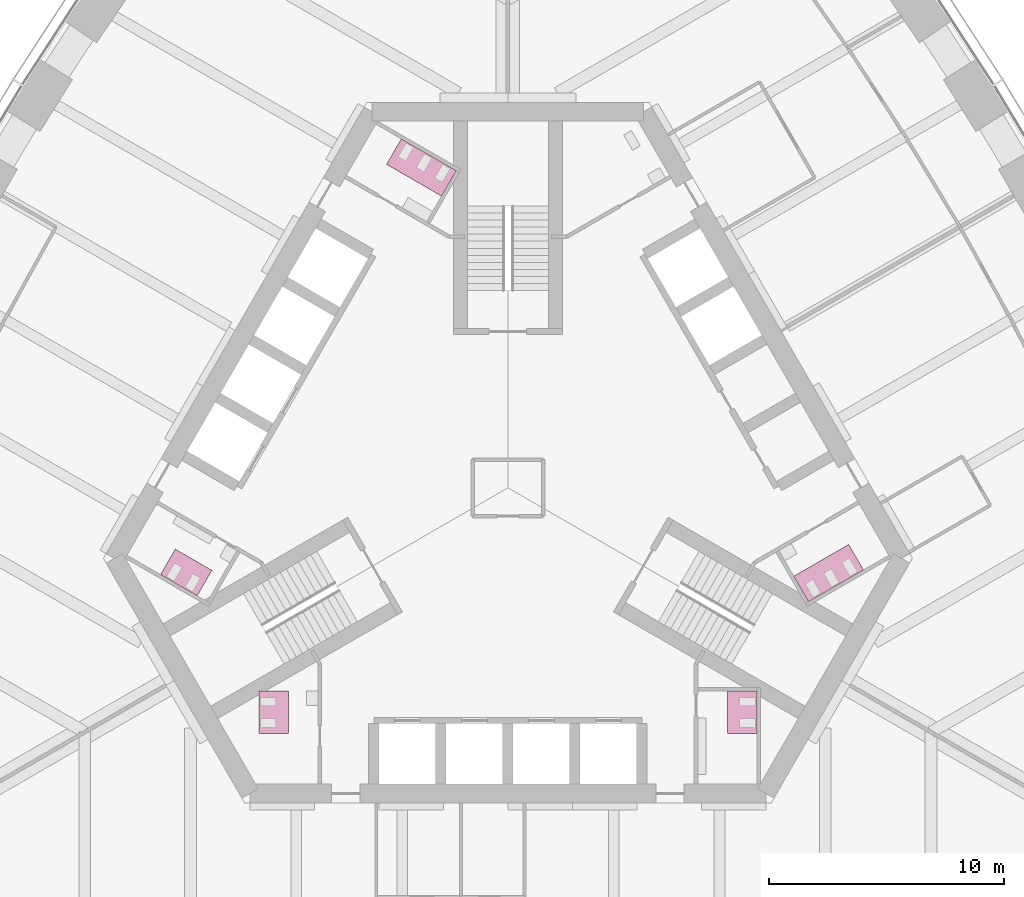
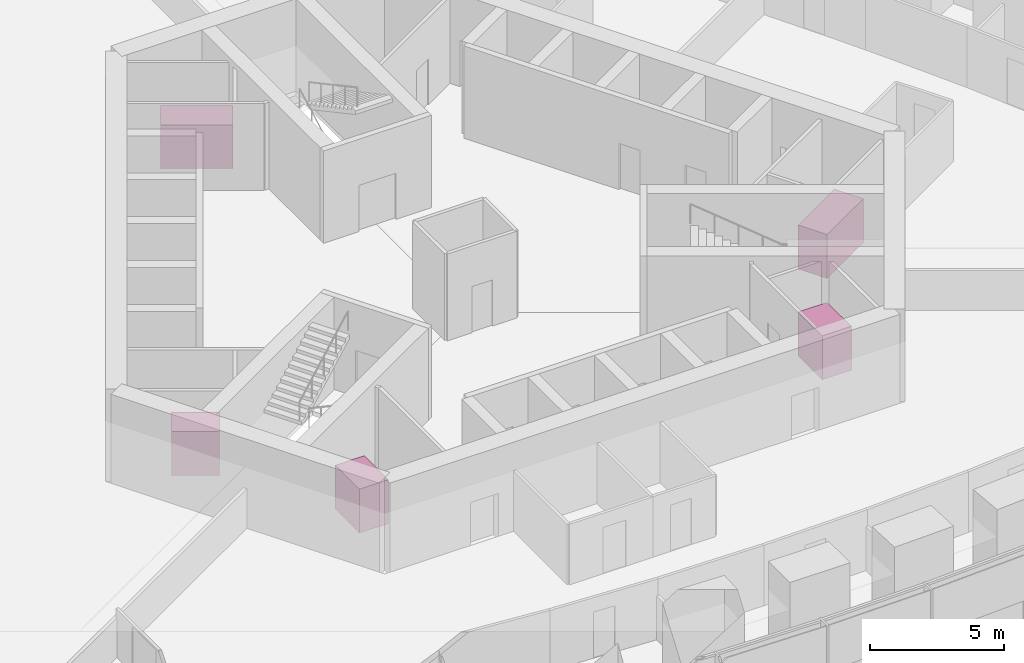
# One storey, part 18 of 18: 5 furniture elements.
"""IFC4 building model written with IfcOpenShell, lengths in metres."""

import ifcopenshell
import ifcopenshell.guid

model = None  # the IFC model being written
_history = None  # IfcOwnerHistory: only IFC2X3 demands one
_inside = {}  # id of a spatial element -> (the spatial element, [elements in it])
_under = {}  # id of a project, library or spatial element -> (it, [spatial elements below it])
_declared = {}  # id of a project -> (the project, [libraries it declares])
_typed = {}  # id of a type object -> (the type object, [elements of that type])
_made_of = {}  # id of a material, layer set ... -> (it, [elements and type objects made of it])


def new_model(schema):
    """Start an empty IFC model of exactly this schema.

    Asked for "IFC4X3", IfcOpenShell would pick the latest addendum, in which some entities
    have other attributes; the version numbers below select the first issue.
    IFC2X3 requires an IfcOwnerHistory on every rooted entity: one is made here for all.
    """
    global model, _history
    if schema == "IFC4X3":
        model = ifcopenshell.file(schema_version=(4, 3, 0, 0))
    else:
        model = ifcopenshell.file(schema=schema)
    _inside.clear()
    _under.clear()
    _declared.clear()
    _typed.clear()
    _made_of.clear()
    _history = None
    if model.schema == "IFC2X3":
        org = make("IfcOrganization", Name="unknown")
        user = make(
            "IfcPersonAndOrganization",
            ThePerson=make("IfcPerson", FamilyName="unknown"),
            TheOrganization=org,
        )
        app = make(
            "IfcApplication",
            ApplicationDeveloper=org,
            Version="unknown",
            ApplicationFullName="unknown",
            ApplicationIdentifier="unknown",
        )
        _history = make(
            "IfcOwnerHistory",
            OwningUser=user,
            OwningApplication=app,
            ChangeAction="ADDED",
            CreationDate=0,
        )
    return model


def make(cls, **values):
    """One entity of the class cls with the attributes given. An attribute that is None is left unset."""
    return model.create_entity(
        cls, **{name: value for name, value in values.items() if value is not None}
    )


def rooted(cls, **values):
    """An entity with a GlobalId (a new one), such as an element, a storey or a relation."""
    return make(cls, GlobalId=ifcopenshell.guid.new(), OwnerHistory=_history, **values)


def si_unit(unit_type, name, prefix=None):
    """IfcSIUnit, for example si_unit("LENGTHUNIT", "METRE", prefix="MILLI")."""
    return make("IfcSIUnit", UnitType=unit_type, Prefix=prefix, Name=name)


def assignment(units):
    """IfcUnitAssignment: the units of a project."""
    return None if units is None else make("IfcUnitAssignment", Units=units)


def point(xyz):
    """IfcCartesianPoint."""
    return None if xyz is None else make("IfcCartesianPoint", Coordinates=xyz)


def direction(xyz):
    """IfcDirection."""
    return None if xyz is None else make("IfcDirection", DirectionRatios=xyz)


def frame(location, z_axis=None, x_axis=None):
    """IfcAxis2Placement3D, a coordinate frame: its origin and axes. An axis left out is left unset."""
    return make(
        "IfcAxis2Placement3D",
        Location=point(location),
        Axis=direction(z_axis),
        RefDirection=direction(x_axis),
    )


def origin():
    """The frame at (0, 0, 0) with its axes left unset."""
    return frame((0.0, 0.0, 0.0))


def place(relative_to, where):
    """IfcLocalPlacement: puts the frame where relative to a parent placement (None: the world)."""
    return make(
        "IfcLocalPlacement", PlacementRelTo=relative_to, RelativePlacement=where
    )


def context(
    kind, dimensions, precision=None, world=None, true_north=None, identifier=None
):
    """IfcGeometricRepresentationContext, for example the 3D "Model" context."""
    return make(
        "IfcGeometricRepresentationContext",
        ContextIdentifier=identifier,
        ContextType=kind,
        CoordinateSpaceDimension=dimensions,
        Precision=precision,
        WorldCoordinateSystem=world,
        TrueNorth=true_north,
    )


def subcontext(parent, identifier, kind, view, scale=None):
    """IfcGeometricRepresentationSubContext, for example "Body" below "Model"."""
    return make(
        "IfcGeometricRepresentationSubContext",
        ContextIdentifier=identifier,
        ContextType=kind,
        ParentContext=parent,
        TargetScale=scale,
        TargetView=view,
    )


def project(units=None, contexts=None):
    """IfcProject with its units and contexts."""
    return rooted(
        "IfcProject",
        Name="project",
        RepresentationContexts=contexts,
        UnitsInContext=assignment(units),
    )


def spatial(cls, under=None, at=None, **own):
    """A site, building, storey or space (cls), placed at a placement, below another one or the project."""
    s = rooted(cls, ObjectPlacement=at, **own)
    if under is not None:
        _under.setdefault(under.id(), (under, []))[1].append(s)
    return s


def polyline(points):
    """IfcPolyline through the points."""
    return make("IfcPolyline", Points=[point(p) for p in points])


def outline(outer, holes=None, kind="AREA"):
    """IfcArbitraryClosedProfileDef: a profile drawn as a closed curve; with holes, ...WithVoids."""
    if holes is None:
        return make("IfcArbitraryClosedProfileDef", ProfileType=kind, OuterCurve=outer)
    return make(
        "IfcArbitraryProfileDefWithVoids",
        ProfileType=kind,
        OuterCurve=outer,
        InnerCurves=holes,
    )


def extrude(swept, where, along, depth):
    """IfcExtrudedAreaSolid: the profile swept, set in the frame where, extruded along a direction by depth."""
    return make(
        "IfcExtrudedAreaSolid",
        SweptArea=swept,
        Position=where,
        ExtrudedDirection=direction(along),
        Depth=depth,
    )


def shape(context_of_items, identifier, shape_type, items):
    """IfcShapeRepresentation: the items that make up one representation, for example the "Body"."""
    return make(
        "IfcShapeRepresentation",
        ContextOfItems=context_of_items,
        RepresentationIdentifier=identifier,
        RepresentationType=shape_type,
        Items=items,
    )


def material(Name=None, Category=None):
    """IfcMaterial."""
    return make("IfcMaterial", Name=Name, Category=Category)


def made_of(thing, what):
    """Note that an element or type object is made of a material, layer set ...; save() writes the relation."""
    if what is not None:
        _made_of.setdefault(what.id(), (what, []))[1].append(thing)
    return thing


def type_object(cls, material=None, **own):
    """A type object (cls), such as IfcWallType, which elements share."""
    return made_of(rooted(cls, **own), material)


def element(
    cls,
    number,
    at=None,
    inside=None,
    cuts=None,
    type_object=None,
    material=None,
    context=None,
    identifier="Body",
    shape_type=None,
    held_by="IfcProductDefinitionShape",
    body=None,
    shapes=None,
    **own,
):
    """One element of the class cls, such as IfcWall. Its Tag is "e" and its number.

    at: its placement. inside: the storey or other place that contains it. cuts: it is an
    opening in that element (IfcRelVoidsElement). A single representation is given by context,
    identifier, shape_type and body (its items); several are given by shapes. held_by: the class
    of the entity that holds the representations. save() writes the other relations.
    """
    e = rooted(cls, Tag="e%d" % number, ObjectPlacement=at, **own)
    if body is not None:
        shapes = [shape(context, identifier, shape_type, body)]
    if shapes is not None:
        e.Representation = make(held_by, Representations=shapes)
    if inside is not None:
        _inside.setdefault(inside.id(), (inside, []))[1].append(e)
    if cuts is not None:
        rooted(
            "IfcRelVoidsElement", RelatingBuildingElement=cuts, RelatedOpeningElement=e
        )
    if type_object is not None:
        _typed.setdefault(type_object.id(), (type_object, []))[1].append(e)
    return made_of(e, material)


def aggregate(whole, parts):
    """IfcRelAggregates: a whole, such as a stair, and the parts it consists of."""
    return rooted("IfcRelAggregates", RelatingObject=whole, RelatedObjects=parts)


def save(model, path):
    """Write the relations noted so far, then the file.

    IfcRelAggregates (storeys below a building ...), IfcRelContainedInSpatialStructure (elements
    in a storey), IfcRelDefinesByType, IfcRelAssociatesMaterial and IfcRelDeclares: one each for
    every whole, place, type object, material and project.
    """
    for whole, parts in _under.values():
        aggregate(whole, parts)
    for where, things in _inside.values():
        rooted(
            "IfcRelContainedInSpatialStructure",
            RelatedElements=things,
            RelatingStructure=where,
        )
    for kind, things in _typed.values():
        rooted("IfcRelDefinesByType", RelatedObjects=things, RelatingType=kind)
    for what, things in _made_of.values():
        rooted("IfcRelAssociatesMaterial", RelatedObjects=things, RelatingMaterial=what)
    for by, libraries in _declared.values():
        rooted("IfcRelDeclares", RelatingContext=by, RelatedDefinitions=libraries)
    model.write(path)


model = new_model("IFC4")

# Units and contexts
model_context = context("Model", 3, precision=1e-05, world=origin(), true_north=direction((0.0, 1.0)))
body_context = subcontext(model_context, "Body", "Model", "MODEL_VIEW")
ifc_project = project(units=[si_unit("LENGTHUNIT", "METRE"), si_unit("AREAUNIT", "SQUARE_METRE"), si_unit("VOLUMEUNIT", "CUBIC_METRE"), si_unit("PLANEANGLEUNIT", "RADIAN"), si_unit("MASSUNIT", "GRAM", prefix="KILO")], contexts=[model_context])

# Site, building, storey
site_placement = place(None, origin())
site = spatial("IfcSite", under=ifc_project, at=site_placement, CompositionType="ELEMENT")
building_placement = place(site_placement, origin())
building = spatial("IfcBuilding", under=site, at=building_placement, Name="Trefoil Bronze Tower", CompositionType="ELEMENT")
storey_placement = place(building_placement, frame((0.0, 0.0, 174.5)))
storey = spatial("IfcBuildingStorey", under=building, at=storey_placement, Name="L40", CompositionType="ELEMENT", Elevation=174.5)

# Furniture
ifc_material_1 = material(Name="Compact laminate cubicles", Category="plastic")
furniture_type_1 = type_object("IfcFurnitureType", Name="WC cubicle range 2 cubicles", AssemblyPlace="FACTORY", PredefinedType="USERDEFINED", material=ifc_material_1)
furniture_1_placement = place(storey_placement, origin())
element("IfcFurniture", 1, at=furniture_1_placement, inside=storey, type_object=furniture_type_1, Name="WC cubicle range WC (men) L40", ObjectType="WC cubicle range", PredefinedType="USERDEFINED", context=body_context, shape_type="SweptSolid", body=[
    extrude(outline(polyline([(9.3349609375, -8.64990234375), (10.5849609375, -8.64990234375), (10.5849609375, -10.449951171875), (9.3349609375, -10.449951171875), (9.3349609375, -8.64990234375)])), origin(), (0.0, 0.0, 1.0), 2.0),
])
furniture_2_placement = place(storey_placement, origin())
element("IfcFurniture", 2, at=furniture_2_placement, inside=storey, type_object=furniture_type_1, Name="WC cubicle range WC (men) L40", ObjectType="WC cubicle range", PredefinedType="USERDEFINED", context=body_context, shape_type="SweptSolid", body=[
    extrude(outline(polyline([(-12.591552734375, -3.50927734375), (-13.216552734375, -4.591796875), (-14.775390625, -3.69189453125), (-14.150390625, -2.609375), (-12.591552734375, -3.50927734375)])), origin(), (0.0, 0.0, 1.0), 2.0),
])
furniture_3_placement = place(storey_placement, origin())
element("IfcFurniture", 3, at=furniture_3_placement, inside=storey, type_object=furniture_type_1, Name="WC cubicle range WC (women) L40", ObjectType="WC cubicle range", PredefinedType="USERDEFINED", context=body_context, shape_type="SweptSolid", body=[
    extrude(outline(polyline([(-9.3349609375, -8.64990234375), (-10.5849609375, -8.64990234375), (-10.5849609375, -10.449951171875), (-9.3349609375, -10.449951171875), (-9.3349609375, -8.64990234375)])), origin(), (0.0, 0.0, 1.0), 2.0),
])
ifc_material_2 = material(Name="Compact laminate cubicles", Category="plastic")
furniture_type_2 = type_object("IfcFurnitureType", Name="WC cubicle range 3 cubicles", AssemblyPlace="FACTORY", PredefinedType="USERDEFINED", material=ifc_material_2)
furniture_4_placement = place(storey_placement, origin())
element("IfcFurniture", 4, at=furniture_4_placement, inside=storey, type_object=furniture_type_2, Name="WC cubicle range WC (women) L40", ObjectType="WC cubicle range", PredefinedType="USERDEFINED", context=body_context, shape_type="SweptSolid", body=[
    extrude(outline(polyline([(12.15869140625, -3.75927734375), (12.78369140625, -4.841796875), (15.121826171875, -3.491943359375), (14.496826171875, -2.409423828125), (12.15869140625, -3.75927734375)])), origin(), (0.0, 0.0, 1.0), 2.0),
])
furniture_5_placement = place(storey_placement, origin())
element("IfcFurniture", 5, at=furniture_5_placement, inside=storey, type_object=furniture_type_2, Name="WC cubicle range WC (women) L40", ObjectType="WC cubicle range", PredefinedType="USERDEFINED", context=body_context, shape_type="SweptSolid", body=[
    extrude(outline(polyline([(-2.82373046875, 12.409423828125), (-2.19873046875, 13.491943359375), (-4.536865234375, 14.841796875), (-5.161865234375, 13.75927734375), (-2.82373046875, 12.409423828125)])), origin(), (0.0, 0.0, 1.0), 2.0),
])

save(model, "model.ifc")
